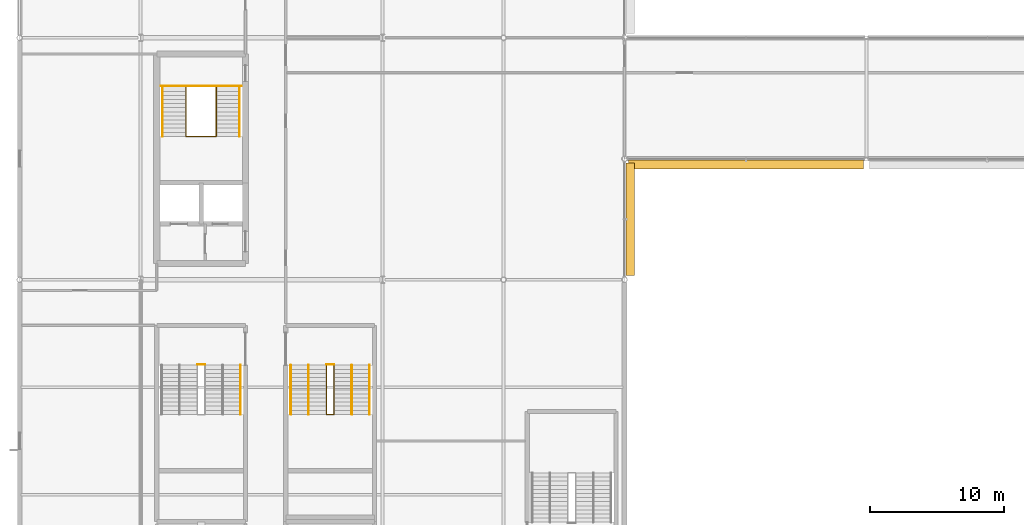
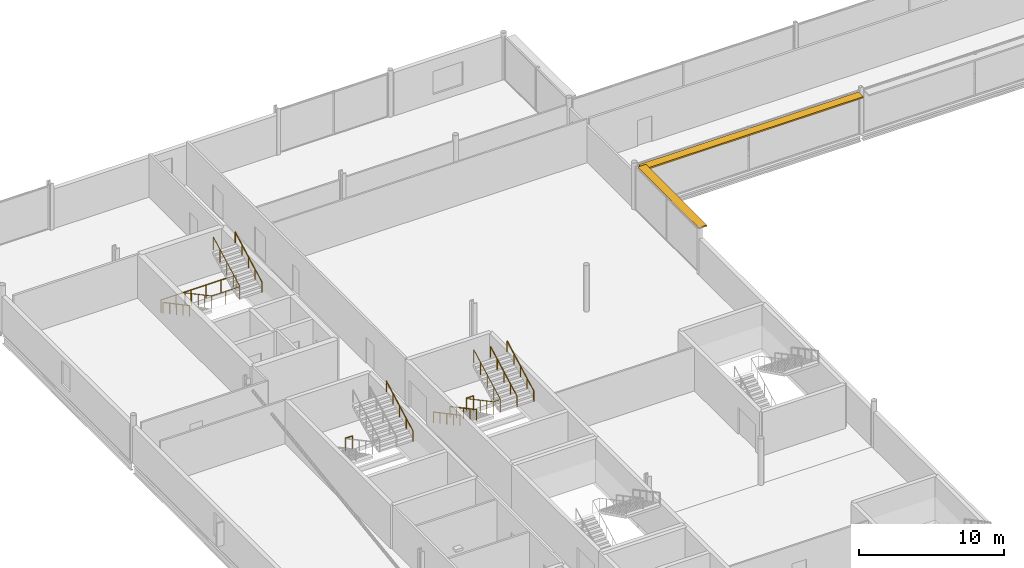
# One storey, part 90 of 96: 12 railings, 2 shading devices.
"""IFC4 building model written with IfcOpenShell, lengths in metres."""

from ifc_helpers import new_model, si_unit, direction, frame, origin, origin_2d, place, context, subcontext, project, spatial, rectangle, circle, extrude, material, type_object, element, save


model = new_model("IFC4")

# Units and contexts
model_context = context("Model", 3, precision=1e-05, world=origin(), true_north=direction((0.0, 1.0)))
body_context = subcontext(model_context, "Body", "Model", "MODEL_VIEW")
ifc_project = project(units=[si_unit("LENGTHUNIT", "METRE"), si_unit("AREAUNIT", "SQUARE_METRE"), si_unit("VOLUMEUNIT", "CUBIC_METRE"), si_unit("PLANEANGLEUNIT", "RADIAN"), si_unit("MASSUNIT", "GRAM", prefix="KILO")], contexts=[model_context])

# Site, building, storey
site_placement = place(None, origin())
site = spatial("IfcSite", under=ifc_project, at=site_placement, CompositionType="ELEMENT")
building_placement = place(site_placement, origin())
building = spatial("IfcBuilding", under=site, at=building_placement, Name="Kisiwana Market Hall", CompositionType="ELEMENT")
storey_placement = place(building_placement, frame((0.0, 0.0, 25.5)))
storey = spatial("IfcBuildingStorey", under=building, at=storey_placement, Name="L05", CompositionType="ELEMENT", Elevation=25.5)

# Railings
ifc_material_1 = material(Name="Steel S275", Category="steel")
railing_type_1 = type_object("IfcRailingType", Name="RL-GUARD-1100", PredefinedType="GUARDRAIL", material=ifc_material_1)
railing_1_placement = place(storey_placement, frame((12.375, 98.325439453125, 0.0)))
element("IfcRailing", 1, at=railing_1_placement, inside=storey, type_object=railing_type_1, Name="Stair ST-W1-L05 inner-well guardrail (RL-855)", PredefinedType="GUARDRAIL", context=body_context, shape_type="SweptSolid", body=[
    extrude(circle(Radius=0.02392578125, at=origin_2d()), frame((0.0, 0.0, 1.076171875), z_axis=(0.0, -0.88255331184, 0.47021234752), x_axis=(1.0, 0.0, 0.0)), (0.0, 0.0, 1.0), 4.14697265625),
    extrude(circle(Radius=0.02392578125, at=origin_2d()), frame((0.0, -3.659912109375, 3.02587890625), z_axis=(1.0, 0.0, 0.0), x_axis=(0.0, 1.0, 0.0)), (0.0, 0.0, 1.0), 2.25),
    extrude(circle(Radius=0.02392578125, at=origin_2d()), frame((2.25, -3.659912109375, 3.02587890625), z_axis=(0.0, 0.88255331184, 0.47021234752), x_axis=(-1.0, 0.0, 0.0)), (0.0, 0.0, 1.0), 4.14697265625),
    extrude(circle(Radius=0.02099609375, at=origin_2d()), origin(), (0.0, 0.0, 1.0), 1.052001953125),
    extrude(circle(Radius=0.02099609375, at=origin_2d()), frame((0.0, -0.9150390625, 0.487548828125)), (0.0, 0.0, 1.0), 1.052001953125),
    extrude(circle(Radius=0.02099609375, at=origin_2d()), frame((0.0, -1.830078125, 0.97509765625)), (0.0, 0.0, 1.0), 1.052001953125),
    extrude(circle(Radius=0.02099609375, at=origin_2d()), frame((0.0, -2.744873046875, 1.46240234375)), (0.0, 0.0, 1.0), 1.052001953125),
    extrude(circle(Radius=0.02099609375, at=origin_2d()), frame((0.0, -3.659912109375, 1.949951171875)), (0.0, 0.0, 1.0), 1.052001953125),
    extrude(circle(Radius=0.02099609375, at=origin_2d()), frame((1.125, -3.659912109375, 1.949951171875)), (0.0, 0.0, 1.0), 1.052001953125),
    extrude(circle(Radius=0.02099609375, at=origin_2d()), frame((2.25, -3.659912109375, 1.949951171875)), (0.0, 0.0, 1.0), 1.052001953125),
    extrude(circle(Radius=0.02099609375, at=origin_2d()), frame((2.25, -2.744873046875, 2.4375)), (0.0, 0.0, 1.0), 1.052001953125),
    extrude(circle(Radius=0.02099609375, at=origin_2d()), frame((2.25, -1.830078125, 2.9248046875)), (0.0, 0.0, 1.0), 1.052001953125),
    extrude(circle(Radius=0.02099609375, at=origin_2d()), frame((2.25, -0.9150390625, 3.412353515625)), (0.0, 0.0, 1.0), 1.052001953125),
    extrude(circle(Radius=0.02099609375, at=origin_2d()), frame((2.25, 0.0, 3.89990234375)), (0.0, 0.0, 1.0), 1.052001953125),
])
railing_2_placement = place(storey_placement, frame((10.5048828125, 98.405517578125, 0.0)))
element("IfcRailing", 2, at=railing_2_placement, inside=storey, type_object=railing_type_1, Name="Stair ST-W1-L05 landing edge guardrail (RL-858)", PredefinedType="GUARDRAIL", context=body_context, shape_type="SweptSolid", body=[
    extrude(circle(Radius=0.02392578125, at=origin_2d()), frame((0.0, 0.0, 1.076171875), z_axis=(1.0, 0.0, 0.0), x_axis=(0.0, 1.0, 0.0)), (0.0, 0.0, 1.0), 5.990234375),
    extrude(circle(Radius=0.02099609375, at=origin_2d()), origin(), (0.0, 0.0, 1.0), 1.052001953125),
    extrude(circle(Radius=0.02099609375, at=origin_2d()), frame((1.197998046875, 0.0, 0.0)), (0.0, 0.0, 1.0), 1.052001953125),
    extrude(circle(Radius=0.02099609375, at=origin_2d()), frame((2.39599609375, 0.0, 0.0)), (0.0, 0.0, 1.0), 1.052001953125),
    extrude(circle(Radius=0.02099609375, at=origin_2d()), frame((3.59423828125, 0.0, 0.0)), (0.0, 0.0, 1.0), 1.052001953125),
    extrude(circle(Radius=0.02099609375, at=origin_2d()), frame((4.792236328125, 0.0, 0.0)), (0.0, 0.0, 1.0), 1.052001953125),
    extrude(circle(Radius=0.02099609375, at=origin_2d()), frame((5.990234375, 0.0, 0.0)), (0.0, 0.0, 1.0), 1.052001953125),
])
railing_3_placement = place(storey_placement, frame((13.219970703125, 77.68994140625, 0.0)))
element("IfcRailing", 3, at=railing_3_placement, inside=storey, type_object=railing_type_1, Name="Stair ST-W4-L05 landing edge guardrail (RL-878)", PredefinedType="GUARDRAIL", context=body_context, shape_type="SweptSolid", body=[
    extrude(circle(Radius=0.02392578125, at=origin_2d()), frame((0.0, 0.0, 1.076171875), z_axis=(1.0, 0.0, 0.0), x_axis=(0.0, 1.0, 0.0)), (0.0, 0.0, 1.0), 0.56005859375),
    extrude(circle(Radius=0.02099609375, at=origin_2d()), origin(), (0.0, 0.0, 1.0), 1.052001953125),
    extrude(circle(Radius=0.02099609375, at=origin_2d()), frame((0.56005859375, 0.0, 0.0)), (0.0, 0.0, 1.0), 1.052001953125),
])
railing_4_placement = place(storey_placement, frame((22.820068359375, 77.639892578125, 0.0)))
element("IfcRailing", 4, at=railing_4_placement, inside=storey, type_object=railing_type_1, Name="Stair ST-W8-L05 inner-well guardrail (RL-903)", PredefinedType="GUARDRAIL", context=body_context, shape_type="SweptSolid", body=[
    extrude(circle(Radius=0.02392578125, at=origin_2d()), frame((0.0, 0.0, 1.076171875), z_axis=(0.0, -0.88255331184, 0.47021234752), x_axis=(1.0, 0.0, 0.0)), (0.0, 0.0, 1.0), 4.14697265625),
    extrude(circle(Radius=0.02392578125, at=origin_2d()), frame((0.0, -3.659912109375, 3.02587890625), z_axis=(1.0, 0.0, 0.0), x_axis=(0.0, 1.0, 0.0)), (0.0, 0.0, 1.0), 0.559814453125),
    extrude(circle(Radius=0.02392578125, at=origin_2d()), frame((0.559814453125, -3.659912109375, 3.02587890625), z_axis=(0.0, 0.88255331184, 0.47021234752), x_axis=(-1.0, 0.0, 0.0)), (0.0, 0.0, 1.0), 4.14697265625),
    extrude(circle(Radius=0.02099609375, at=origin_2d()), origin(), (0.0, 0.0, 1.0), 1.052001953125),
    extrude(circle(Radius=0.02099609375, at=origin_2d()), frame((0.0, -0.9150390625, 0.487548828125)), (0.0, 0.0, 1.0), 1.052001953125),
    extrude(circle(Radius=0.02099609375, at=origin_2d()), frame((0.0, -1.830078125, 0.97509765625)), (0.0, 0.0, 1.0), 1.052001953125),
    extrude(circle(Radius=0.02099609375, at=origin_2d()), frame((0.0, -2.744873046875, 1.46240234375)), (0.0, 0.0, 1.0), 1.052001953125),
    extrude(circle(Radius=0.02099609375, at=origin_2d()), frame((0.0, -3.659912109375, 1.949951171875)), (0.0, 0.0, 1.0), 1.052001953125),
    extrude(circle(Radius=0.02099609375, at=origin_2d()), frame((0.559814453125, -3.659912109375, 1.949951171875)), (0.0, 0.0, 1.0), 1.052001953125),
    extrude(circle(Radius=0.02099609375, at=origin_2d()), frame((0.559814453125, -2.744873046875, 2.4375)), (0.0, 0.0, 1.0), 1.052001953125),
    extrude(circle(Radius=0.02099609375, at=origin_2d()), frame((0.559814453125, -1.830078125, 2.9248046875)), (0.0, 0.0, 1.0), 1.052001953125),
    extrude(circle(Radius=0.02099609375, at=origin_2d()), frame((0.559814453125, -0.9150390625, 3.412353515625)), (0.0, 0.0, 1.0), 1.052001953125),
    extrude(circle(Radius=0.02099609375, at=origin_2d()), frame((0.559814453125, 0.0, 3.89990234375)), (0.0, 0.0, 1.0), 1.052001953125),
])
railing_5_placement = place(storey_placement, frame((22.820068359375, 77.68994140625, 0.0)))
element("IfcRailing", 5, at=railing_5_placement, inside=storey, type_object=railing_type_1, Name="Stair ST-W8-L05 landing edge guardrail (RL-908)", PredefinedType="GUARDRAIL", context=body_context, shape_type="SweptSolid", body=[
    extrude(circle(Radius=0.02392578125, at=origin_2d()), frame((0.0, 0.0, 1.076171875), z_axis=(1.0, 0.0, 0.0), x_axis=(0.0, 1.0, 0.0)), (0.0, 0.0, 1.0), 0.559814453125),
    extrude(circle(Radius=0.02099609375, at=origin_2d()), origin(), (0.0, 0.0, 1.0), 1.052001953125),
    extrude(circle(Radius=0.02099609375, at=origin_2d()), frame((0.559814453125, 0.0, 0.0)), (0.0, 0.0, 1.0), 1.052001953125),
])
ifc_material_2 = material(Name="Steel S275", Category="steel")
railing_type_2 = type_object("IfcRailingType", Name="RL-HAND-900", PredefinedType="HANDRAIL", material=ifc_material_2)
railing_6_placement = place(storey_placement, frame((10.635009765625, 98.325439453125, 0.0)))
element("IfcRailing", 6, at=railing_6_placement, inside=storey, type_object=railing_type_2, Name="Stair ST-W1-L05 flight 1 handrail (RL-856)", PredefinedType="HANDRAIL", context=body_context, shape_type="SweptSolid", body=[
    extrude(circle(Radius=0.02392578125, at=origin_2d()), frame((0.0, 0.0, 0.8759765625), z_axis=(0.0, -0.88255331184, 0.47021234752), x_axis=(1.0, 0.0, 0.0)), (0.0, 0.0, 1.0), 4.14697265625),
    extrude(circle(Radius=0.02099609375, at=origin_2d()), origin(), (0.0, 0.0, 1.0), 0.851806640625),
    extrude(circle(Radius=0.02099609375, at=origin_2d()), frame((0.0, -0.9150390625, 0.487548828125)), (0.0, 0.0, 1.0), 0.851806640625),
    extrude(circle(Radius=0.02099609375, at=origin_2d()), frame((0.0, -1.830078125, 0.97509765625)), (0.0, 0.0, 1.0), 0.851806640625),
    extrude(circle(Radius=0.02099609375, at=origin_2d()), frame((0.0, -2.744873046875, 1.46240234375)), (0.0, 0.0, 1.0), 0.851806640625),
    extrude(circle(Radius=0.02099609375, at=origin_2d()), frame((0.0, -3.659912109375, 1.949951171875)), (0.0, 0.0, 1.0), 0.851806640625),
])
for number, where, name in (
    (7, (16.364990234375, 94.66552734375, 1.949951171875), "Stair ST-W1-L05 flight 2 handrail (RL-857)"),
    (8, (16.429931640625, 73.97998046875, 1.949951171875), "Stair ST-W4-L05 flight 2 handrail (RL-875)"),
):
    element("IfcRailing", number, at=place(storey_placement, frame(where)), inside=storey, type_object=railing_type_2, Name=name, PredefinedType="HANDRAIL", context=body_context, shape_type="SweptSolid", body=[
        extrude(circle(Radius=0.02392578125, at=origin_2d()), frame((0.0, 0.0, 0.8759765625), z_axis=(0.0, 0.88255331184, 0.47021234752), x_axis=(-1.0, 0.0, 0.0)), (0.0, 0.0, 1.0), 4.14697265625),
        extrude(circle(Radius=0.02099609375, at=origin_2d()), origin(), (0.0, 0.0, 1.0), 0.851806640625),
        extrude(circle(Radius=0.02099609375, at=origin_2d()), frame((0.0, 0.9150390625, 0.487548828125)), (0.0, 0.0, 1.0), 0.851806640625),
        extrude(circle(Radius=0.02099609375, at=origin_2d()), frame((0.0, 1.830078125, 0.97509765625)), (0.0, 0.0, 1.0), 0.851806640625),
        extrude(circle(Radius=0.02099609375, at=origin_2d()), frame((0.0, 2.744873046875, 1.46240234375)), (0.0, 0.0, 1.0), 0.851806640625),
        extrude(circle(Radius=0.02099609375, at=origin_2d()), frame((0.0, 3.659912109375, 1.949951171875)), (0.0, 0.0, 1.0), 0.851806640625),
    ])
railing_7_placement = place(storey_placement, frame((20.169921875, 77.639892578125, 0.0)))
element("IfcRailing", 9, at=railing_7_placement, inside=storey, type_object=railing_type_2, Name="Stair ST-W8-L05 flight 1 handrail (RL-904)", PredefinedType="HANDRAIL", context=body_context, shape_type="SweptSolid", body=[
    extrude(circle(Radius=0.02392578125, at=origin_2d()), frame((0.0, 0.0, 0.8759765625), z_axis=(0.0, -0.88255331184, 0.47021234752), x_axis=(1.0, 0.0, 0.0)), (0.0, 0.0, 1.0), 4.14697265625),
    extrude(circle(Radius=0.02099609375, at=origin_2d()), origin(), (0.0, 0.0, 1.0), 0.851806640625),
    extrude(circle(Radius=0.02099609375, at=origin_2d()), frame((0.0, -0.9150390625, 0.487548828125)), (0.0, 0.0, 1.0), 0.851806640625),
    extrude(circle(Radius=0.02099609375, at=origin_2d()), frame((0.0, -1.830078125, 0.97509765625)), (0.0, 0.0, 1.0), 0.851806640625),
    extrude(circle(Radius=0.02099609375, at=origin_2d()), frame((0.0, -2.744873046875, 1.46240234375)), (0.0, 0.0, 1.0), 0.851806640625),
    extrude(circle(Radius=0.02099609375, at=origin_2d()), frame((0.0, -3.659912109375, 1.949951171875)), (0.0, 0.0, 1.0), 0.851806640625),
])
railing_8_placement = place(storey_placement, frame((26.030029296875, 73.97998046875, 1.949951171875)))
element("IfcRailing", 10, at=railing_8_placement, inside=storey, type_object=railing_type_2, Name="Stair ST-W8-L05 flight 2 handrail (RL-905)", PredefinedType="HANDRAIL", context=body_context, shape_type="SweptSolid", body=[
    extrude(circle(Radius=0.02392578125, at=origin_2d()), frame((0.0, 0.0, 0.8759765625), z_axis=(0.0, 0.88255331184, 0.47021234752), x_axis=(-1.0, 0.0, 0.0)), (0.0, 0.0, 1.0), 4.14697265625),
    extrude(circle(Radius=0.02099609375, at=origin_2d()), origin(), (0.0, 0.0, 1.0), 0.851806640625),
    extrude(circle(Radius=0.02099609375, at=origin_2d()), frame((0.0, 0.9150390625, 0.487548828125)), (0.0, 0.0, 1.0), 0.851806640625),
    extrude(circle(Radius=0.02099609375, at=origin_2d()), frame((0.0, 1.830078125, 0.97509765625)), (0.0, 0.0, 1.0), 0.851806640625),
    extrude(circle(Radius=0.02099609375, at=origin_2d()), frame((0.0, 2.744873046875, 1.46240234375)), (0.0, 0.0, 1.0), 0.851806640625),
    extrude(circle(Radius=0.02099609375, at=origin_2d()), frame((0.0, 3.659912109375, 1.949951171875)), (0.0, 0.0, 1.0), 0.851806640625),
])
railing_9_placement = place(storey_placement, frame((21.489990234375, 77.639892578125, 0.0)))
element("IfcRailing", 11, at=railing_9_placement, inside=storey, type_object=railing_type_2, Name="Stair ST-W8-L05 flight 1 intermediate handrail (RL-906)", PredefinedType="HANDRAIL", context=body_context, shape_type="SweptSolid", body=[
    extrude(circle(Radius=0.02392578125, at=origin_2d()), frame((0.0, 0.0, 0.8759765625), z_axis=(0.0, -0.88255331184, 0.47021234752), x_axis=(1.0, 0.0, 0.0)), (0.0, 0.0, 1.0), 4.14697265625),
    extrude(circle(Radius=0.02099609375, at=origin_2d()), origin(), (0.0, 0.0, 1.0), 0.851806640625),
    extrude(circle(Radius=0.02099609375, at=origin_2d()), frame((0.0, -0.9150390625, 0.487548828125)), (0.0, 0.0, 1.0), 0.851806640625),
    extrude(circle(Radius=0.02099609375, at=origin_2d()), frame((0.0, -1.830078125, 0.97509765625)), (0.0, 0.0, 1.0), 0.851806640625),
    extrude(circle(Radius=0.02099609375, at=origin_2d()), frame((0.0, -2.744873046875, 1.46240234375)), (0.0, 0.0, 1.0), 0.851806640625),
    extrude(circle(Radius=0.02099609375, at=origin_2d()), frame((0.0, -3.659912109375, 1.949951171875)), (0.0, 0.0, 1.0), 0.851806640625),
])
railing_10_placement = place(storey_placement, frame((24.7099609375, 73.97998046875, 1.949951171875)))
element("IfcRailing", 12, at=railing_10_placement, inside=storey, type_object=railing_type_2, Name="Stair ST-W8-L05 flight 2 intermediate handrail (RL-907)", PredefinedType="HANDRAIL", context=body_context, shape_type="SweptSolid", body=[
    extrude(circle(Radius=0.02392578125, at=origin_2d()), frame((0.0, 0.0, 0.8759765625), z_axis=(0.0, 0.88255331184, 0.47021234752), x_axis=(-1.0, 0.0, 0.0)), (0.0, 0.0, 1.0), 4.14697265625),
    extrude(circle(Radius=0.02099609375, at=origin_2d()), origin(), (0.0, 0.0, 1.0), 0.851806640625),
    extrude(circle(Radius=0.02099609375, at=origin_2d()), frame((0.0, 0.9150390625, 0.487548828125)), (0.0, 0.0, 1.0), 0.851806640625),
    extrude(circle(Radius=0.02099609375, at=origin_2d()), frame((0.0, 1.830078125, 0.97509765625)), (0.0, 0.0, 1.0), 0.851806640625),
    extrude(circle(Radius=0.02099609375, at=origin_2d()), frame((0.0, 2.744873046875, 1.46240234375)), (0.0, 0.0, 1.0), 0.851806640625),
    extrude(circle(Radius=0.02099609375, at=origin_2d()), frame((0.0, 3.659912109375, 1.949951171875)), (0.0, 0.0, 1.0), 0.851806640625),
])

# Shading devices
ifc_material_3 = material(Name="Aluminium alloy 6063-T6", Category="aluminium")
shading_device_type = type_object("IfcShadingDeviceType", Name="SHD-JALOUSIE-H", PredefinedType="JALOUSIE", material=ifc_material_3)
shading_device_1_placement = place(storey_placement, frame((54.0390625, 92.580078125, 3.474853515625), z_axis=(0.0, 0.0, 1.0), x_axis=(1.0, 0.0, 0.0)))
element("IfcShadingDevice", 13, at=shading_device_1_placement, inside=storey, type_object=shading_device_type, Name="Aluminium brise-soleil louvre SHD-108 SD-108", PredefinedType="JALOUSIE", context=body_context, shape_type="SweptSolid", body=[
    extrude(rectangle(XDim=17.4716796875, YDim=0.64990234375, at=origin_2d()), origin(), (0.0, 0.0, 1.0), 0.1201171875),
])
shading_device_2_placement = place(storey_placement, frame((45.419921875, 88.5, 3.474853515625), z_axis=(0.0, 0.0, 1.0), x_axis=(0.0, 1.0, 0.0)))
element("IfcShadingDevice", 14, at=shading_device_2_placement, inside=storey, type_object=shading_device_type, Name="Aluminium brise-soleil louvre SHD-118 SD-118", PredefinedType="JALOUSIE", context=body_context, shape_type="SweptSolid", body=[
    extrude(rectangle(XDim=8.3935546875, YDim=0.64990234375, at=origin_2d()), origin(), (0.0, 0.0, 1.0), 0.1201171875),
])

save(model, "model.ifc")
